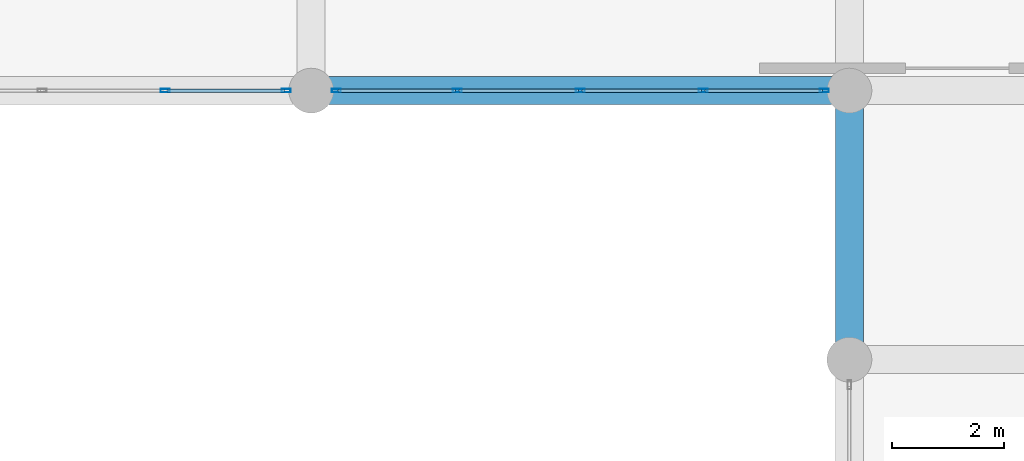
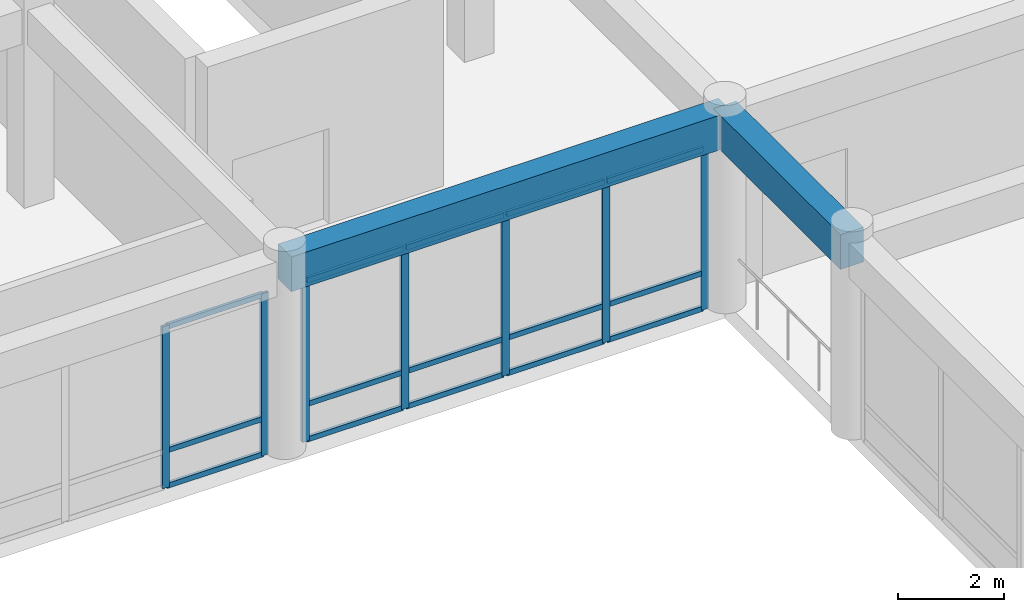
# One storey, part 25 of 101: 22 members, 2 beams, 2 elements without a shape of their own.
"""IFC4 building model written with IfcOpenShell, lengths in metres."""

from ifc_helpers import new_model, si_unit, direction, frame, origin, origin_2d, place, context, subcontext, project, spatial, rectangle, hollow_rectangle, extrude, material, layer, layer_set, material_profile, profile_set, type_object, element, aggregate, save


model = new_model("IFC4")

# Units and contexts
model_context = context("Model", 3, precision=1e-05, world=origin(), true_north=direction((0.0, 1.0)))
body_context = subcontext(model_context, "Body", "Model", "MODEL_VIEW")
ifc_project = project(units=[si_unit("LENGTHUNIT", "METRE"), si_unit("AREAUNIT", "SQUARE_METRE"), si_unit("VOLUMEUNIT", "CUBIC_METRE"), si_unit("PLANEANGLEUNIT", "RADIAN"), si_unit("MASSUNIT", "GRAM", prefix="KILO")], contexts=[model_context])

# Site, building, storey
site_placement = place(None, origin())
site = spatial("IfcSite", under=ifc_project, at=site_placement, CompositionType="ELEMENT")
building_placement = place(site_placement, origin())
building = spatial("IfcBuilding", under=site, at=building_placement, Name="Nakhvara Creek Congress Hotel", CompositionType="ELEMENT")
storey_placement = place(building_placement, frame((0.0, 0.0, 16.199951171875)))
storey = spatial("IfcBuildingStorey", under=building, at=storey_placement, Name="L03", CompositionType="ELEMENT", Elevation=16.199951171875)

# Beams
ifc_material_1 = material(Name="Concrete C40/50", Category="concrete")
ifc_material_profile_1 = material_profile(ifc_material_1, rectangle(XDim=0.5, YDim=0.800048828125, at=origin_2d()), Name="RC-BM 500x800", Category="LoadBearing")
ifc_profile_set_1 = profile_set([ifc_material_profile_1], Name="Concrete C40/50")
beam_type = type_object("IfcBeamType", Name="BM-RC-500X800", PredefinedType="BEAM", material=ifc_profile_set_1)
beam_1_placement = place(storey_placement, frame((115.199951171875, 76.800048828125, 4.14013671875), z_axis=(1.0, 0.0, 0.0), x_axis=(0.0, 1.0, 0.0)))
element("IfcBeam", 1, at=beam_1_placement, inside=storey, type_object=beam_type, Name="Beam B03-L03-1761", PredefinedType="BEAM", context=body_context, shape_type="SweptSolid", body=[
    extrude(rectangle(XDim=0.5, YDim=0.800048828125, at=origin_2d()), origin(), (0.0, 0.0, 1.0), 9.60009765625),
])
beam_2_placement = place(storey_placement, frame((124.800048828125, 72.0, 4.14013671875), z_axis=(0.0, 1.0, 0.0), x_axis=(-1.0, 0.0, 0.0)))
element("IfcBeam", 2, at=beam_2_placement, inside=storey, type_object=beam_type, Name="Beam B03-L03-1778", PredefinedType="BEAM", context=body_context, shape_type="SweptSolid", body=[
    extrude(rectangle(XDim=0.5, YDim=0.800048828125, at=origin_2d()), origin(), (0.0, 0.0, 1.0), 4.800048828125),
])

# Curtain wall, members
ifc_material_2 = material(Name="Bronze-anodised aluminium AW-6063-T6 and double-silver low-E glass", Category="aluminium")
ifc_layer = layer(ifc_material_2, 0.199951171875)
ifc_layer_set = layer_set([ifc_layer], Name="Bronze-anodised aluminium AW-6063-T6 and double-silver low-E glass")
curtain_wall_type = type_object("IfcCurtainWallType", Name="CW-POD-STICK", PredefinedType="NOTDEFINED", material=ifc_layer_set)
curtain_wall_1_placement = place(storey_placement, origin())
curtain_wall_1 = element("IfcCurtainWall", 3, at=curtain_wall_1_placement, inside=storey, type_object=curtain_wall_type, Name="Curtain Wall CW056", PredefinedType="NOTDEFINED")
ifc_material_3 = material(Name="Bronze-anodised aluminium AW-6063-T6", Category="aluminium")
ifc_material_profile_2 = material_profile(ifc_material_3, hollow_rectangle(XDim=0.06494140625, YDim=0.159912109375, WallThickness=0.00390625, at=origin_2d()), Name="ALU-MULL 65x160x4", Category="LoadBearing")
ifc_profile_set_2 = profile_set([ifc_material_profile_2], Name="Bronze-anodised aluminium AW-6063-T6")
member_type_1 = type_object("IfcMemberType", Name="CW-MULL-160", PredefinedType="MULLION", material=ifc_profile_set_2)
member_1_placement = place(storey_placement, frame((114.75244140625, 76.800048828125, 0.0), z_axis=(0.0, 0.0, 1.0), x_axis=(0.0, -1.0, 0.0)))
member_1 = element("IfcMember", 4, at=member_1_placement, type_object=member_type_1, Name="CW056 mullion 1", PredefinedType="MULLION", context=body_context, shape_type="SweptSolid", body=[
    extrude(hollow_rectangle(XDim=0.06494140625, YDim=0.159912109375, WallThickness=0.00390625, at=origin_2d()), origin(), (0.0, 0.0, 1.0), 3.73193359375),
])
member_2_placement = place(storey_placement, frame((112.592529296875, 76.800048828125, 0.0), z_axis=(0.0, 0.0, 1.0), x_axis=(0.0, -1.0, 0.0)))
member_2 = element("IfcMember", 5, at=member_2_placement, type_object=member_type_1, Name="CW056 mullion 2", PredefinedType="MULLION", context=body_context, shape_type="SweptSolid", body=[
    extrude(hollow_rectangle(XDim=0.06494140625, YDim=0.159912109375, WallThickness=0.00390625, at=origin_2d()), origin(), (0.0, 0.0, 1.0), 3.73193359375),
])

curtain_wall_2_placement = place(storey_placement, origin())
curtain_wall_2 = element("IfcCurtainWall", 6, at=curtain_wall_2_placement, inside=storey, type_object=curtain_wall_type, Name="Curtain Wall CW058", PredefinedType="NOTDEFINED")
member_3_placement = place(storey_placement, frame((124.3525390625, 76.800048828125, 0.0), z_axis=(0.0, 0.0, 1.0), x_axis=(0.0, -1.0, 0.0)))
member_3 = element("IfcMember", 7, at=member_3_placement, type_object=member_type_1, Name="CW058 mullion 1", PredefinedType="MULLION", context=body_context, shape_type="SweptSolid", body=[
    extrude(hollow_rectangle(XDim=0.06494140625, YDim=0.159912109375, WallThickness=0.00390625, at=origin_2d()), origin(), (0.0, 0.0, 1.0), 3.73193359375),
])
member_4_placement = place(storey_placement, frame((122.1923828125, 76.800048828125, 0.0), z_axis=(0.0, 0.0, 1.0), x_axis=(0.0, -1.0, 0.0)))
member_4 = element("IfcMember", 8, at=member_4_placement, type_object=member_type_1, Name="CW058 mullion 2", PredefinedType="MULLION", context=body_context, shape_type="SweptSolid", body=[
    extrude(hollow_rectangle(XDim=0.06494140625, YDim=0.159912109375, WallThickness=0.00390625, at=origin_2d()), origin(), (0.0, 0.0, 1.0), 3.73193359375),
])
member_5_placement = place(storey_placement, frame((120.0, 76.800048828125, 0.0), z_axis=(0.0, 0.0, 1.0), x_axis=(0.0, -1.0, 0.0)))
member_5 = element("IfcMember", 9, at=member_5_placement, type_object=member_type_1, Name="CW058 mullion 3", PredefinedType="MULLION", context=body_context, shape_type="SweptSolid", body=[
    extrude(hollow_rectangle(XDim=0.06494140625, YDim=0.159912109375, WallThickness=0.00390625, at=origin_2d()), origin(), (0.0, 0.0, 1.0), 3.73193359375),
])
member_6_placement = place(storey_placement, frame((117.8076171875, 76.800048828125, 0.0), z_axis=(0.0, 0.0, 1.0), x_axis=(0.0, -1.0, 0.0)))
member_6 = element("IfcMember", 10, at=member_6_placement, type_object=member_type_1, Name="CW058 mullion 4", PredefinedType="MULLION", context=body_context, shape_type="SweptSolid", body=[
    extrude(hollow_rectangle(XDim=0.06494140625, YDim=0.159912109375, WallThickness=0.00390625, at=origin_2d()), origin(), (0.0, 0.0, 1.0), 3.73193359375),
])
member_7_placement = place(storey_placement, frame((115.6474609375, 76.800048828125, 0.0), z_axis=(0.0, 0.0, 1.0), x_axis=(0.0, -1.0, 0.0)))
member_7 = element("IfcMember", 11, at=member_7_placement, type_object=member_type_1, Name="CW058 mullion 5", PredefinedType="MULLION", context=body_context, shape_type="SweptSolid", body=[
    extrude(hollow_rectangle(XDim=0.06494140625, YDim=0.159912109375, WallThickness=0.00390625, at=origin_2d()), origin(), (0.0, 0.0, 1.0), 3.73193359375),
])

# Member
ifc_material_profile_3 = material_profile(ifc_material_3, hollow_rectangle(XDim=0.06494140625, YDim=0.1201171875, WallThickness=0.00390625, at=origin_2d()), Name="ALU-TRAN 65x120x4", Category="LoadBearing")
ifc_profile_set_3 = profile_set([ifc_material_profile_3], Name="Bronze-anodised aluminium AW-6063-T6")
member_type_2 = type_object("IfcMemberType", Name="CW-TRAN-120", PredefinedType="USERDEFINED", material=ifc_profile_set_3)
member_8_placement = place(storey_placement, frame((114.719970703125, 76.800048828125, 0.032470703125), z_axis=(-1.0, 0.0, 0.0), x_axis=(0.0, -1.0, 0.0)))
member_8 = element("IfcMember", 12, at=member_8_placement, type_object=member_type_2, Name="CW056 transom 1.1", ObjectType="TRANSOM", PredefinedType="USERDEFINED", context=body_context, shape_type="SweptSolid", body=[
    extrude(hollow_rectangle(XDim=0.06494140625, YDim=0.1201171875, WallThickness=0.00390625, at=origin_2d()), origin(), (0.0, 0.0, 1.0), 2.094970703125),
])

member_9_placement = place(storey_placement, frame((114.719970703125, 76.800048828125, 0.85009765625), z_axis=(-1.0, 0.0, 0.0), x_axis=(0.0, -1.0, 0.0)))
member_9 = element("IfcMember", 13, at=member_9_placement, type_object=member_type_2, Name="CW056 transom 1.2", ObjectType="TRANSOM", PredefinedType="USERDEFINED", context=body_context, shape_type="SweptSolid", body=[
    extrude(hollow_rectangle(XDim=0.06494140625, YDim=0.1201171875, WallThickness=0.00390625, at=origin_2d()), origin(), (0.0, 0.0, 1.0), 2.094970703125),
])

member_10_placement = place(storey_placement, frame((114.719970703125, 76.800048828125, 3.699462890625), z_axis=(-1.0, 0.0, 0.0), x_axis=(0.0, -1.0, 0.0)))
member_10 = element("IfcMember", 14, at=member_10_placement, type_object=member_type_2, Name="CW056 transom 1.3", ObjectType="TRANSOM", PredefinedType="USERDEFINED", context=body_context, shape_type="SweptSolid", body=[
    extrude(hollow_rectangle(XDim=0.06494140625, YDim=0.1201171875, WallThickness=0.00390625, at=origin_2d()), origin(), (0.0, 0.0, 1.0), 2.094970703125),
])

aggregate(curtain_wall_1, [member_1, member_2, member_8, member_9, member_10])

member_11_placement = place(storey_placement, frame((124.320068359375, 76.800048828125, 0.032470703125), z_axis=(-1.0, 0.0, 0.0), x_axis=(0.0, -1.0, 0.0)))
member_11 = element("IfcMember", 15, at=member_11_placement, type_object=member_type_2, Name="CW058 transom 1.1", ObjectType="TRANSOM", PredefinedType="USERDEFINED", context=body_context, shape_type="SweptSolid", body=[
    extrude(hollow_rectangle(XDim=0.06494140625, YDim=0.1201171875, WallThickness=0.00390625, at=origin_2d()), origin(), (0.0, 0.0, 1.0), 2.094970703125),
])

member_12_placement = place(storey_placement, frame((124.320068359375, 76.800048828125, 0.85009765625), z_axis=(-1.0, 0.0, 0.0), x_axis=(0.0, -1.0, 0.0)))
member_12 = element("IfcMember", 16, at=member_12_placement, type_object=member_type_2, Name="CW058 transom 1.2", ObjectType="TRANSOM", PredefinedType="USERDEFINED", context=body_context, shape_type="SweptSolid", body=[
    extrude(hollow_rectangle(XDim=0.06494140625, YDim=0.1201171875, WallThickness=0.00390625, at=origin_2d()), origin(), (0.0, 0.0, 1.0), 2.094970703125),
])

member_13_placement = place(storey_placement, frame((124.320068359375, 76.800048828125, 3.699462890625), z_axis=(-1.0, 0.0, 0.0), x_axis=(0.0, -1.0, 0.0)))
member_13 = element("IfcMember", 17, at=member_13_placement, type_object=member_type_2, Name="CW058 transom 1.3", ObjectType="TRANSOM", PredefinedType="USERDEFINED", context=body_context, shape_type="SweptSolid", body=[
    extrude(hollow_rectangle(XDim=0.06494140625, YDim=0.1201171875, WallThickness=0.00390625, at=origin_2d()), origin(), (0.0, 0.0, 1.0), 2.094970703125),
])

member_14_placement = place(storey_placement, frame((122.159912109375, 76.800048828125, 0.032470703125), z_axis=(-1.0, 0.0, 0.0), x_axis=(0.0, -1.0, 0.0)))
member_14 = element("IfcMember", 18, at=member_14_placement, type_object=member_type_2, Name="CW058 transom 2.1", ObjectType="TRANSOM", PredefinedType="USERDEFINED", context=body_context, shape_type="SweptSolid", body=[
    extrude(hollow_rectangle(XDim=0.06494140625, YDim=0.1201171875, WallThickness=0.00390625, at=origin_2d()), origin(), (0.0, 0.0, 1.0), 2.12744140625),
])

member_15_placement = place(storey_placement, frame((122.159912109375, 76.800048828125, 0.85009765625), z_axis=(-1.0, 0.0, 0.0), x_axis=(0.0, -1.0, 0.0)))
member_15 = element("IfcMember", 19, at=member_15_placement, type_object=member_type_2, Name="CW058 transom 2.2", ObjectType="TRANSOM", PredefinedType="USERDEFINED", context=body_context, shape_type="SweptSolid", body=[
    extrude(hollow_rectangle(XDim=0.06494140625, YDim=0.1201171875, WallThickness=0.00390625, at=origin_2d()), origin(), (0.0, 0.0, 1.0), 2.12744140625),
])

member_16_placement = place(storey_placement, frame((122.159912109375, 76.800048828125, 3.699462890625), z_axis=(-1.0, 0.0, 0.0), x_axis=(0.0, -1.0, 0.0)))
member_16 = element("IfcMember", 20, at=member_16_placement, type_object=member_type_2, Name="CW058 transom 2.3", ObjectType="TRANSOM", PredefinedType="USERDEFINED", context=body_context, shape_type="SweptSolid", body=[
    extrude(hollow_rectangle(XDim=0.06494140625, YDim=0.1201171875, WallThickness=0.00390625, at=origin_2d()), origin(), (0.0, 0.0, 1.0), 2.12744140625),
])

member_17_placement = place(storey_placement, frame((119.967529296875, 76.800048828125, 0.032470703125), z_axis=(-1.0, 0.0, 0.0), x_axis=(0.0, -1.0, 0.0)))
member_17 = element("IfcMember", 21, at=member_17_placement, type_object=member_type_2, Name="CW058 transom 3.1", ObjectType="TRANSOM", PredefinedType="USERDEFINED", context=body_context, shape_type="SweptSolid", body=[
    extrude(hollow_rectangle(XDim=0.06494140625, YDim=0.1201171875, WallThickness=0.00390625, at=origin_2d()), origin(), (0.0, 0.0, 1.0), 2.12744140625),
])

member_18_placement = place(storey_placement, frame((119.967529296875, 76.800048828125, 0.85009765625), z_axis=(-1.0, 0.0, 0.0), x_axis=(0.0, -1.0, 0.0)))
member_18 = element("IfcMember", 22, at=member_18_placement, type_object=member_type_2, Name="CW058 transom 3.2", ObjectType="TRANSOM", PredefinedType="USERDEFINED", context=body_context, shape_type="SweptSolid", body=[
    extrude(hollow_rectangle(XDim=0.06494140625, YDim=0.1201171875, WallThickness=0.00390625, at=origin_2d()), origin(), (0.0, 0.0, 1.0), 2.12744140625),
])

member_19_placement = place(storey_placement, frame((119.967529296875, 76.800048828125, 3.699462890625), z_axis=(-1.0, 0.0, 0.0), x_axis=(0.0, -1.0, 0.0)))
member_19 = element("IfcMember", 23, at=member_19_placement, type_object=member_type_2, Name="CW058 transom 3.3", ObjectType="TRANSOM", PredefinedType="USERDEFINED", context=body_context, shape_type="SweptSolid", body=[
    extrude(hollow_rectangle(XDim=0.06494140625, YDim=0.1201171875, WallThickness=0.00390625, at=origin_2d()), origin(), (0.0, 0.0, 1.0), 2.12744140625),
])

member_20_placement = place(storey_placement, frame((117.77490234375, 76.800048828125, 0.032470703125), z_axis=(-1.0, 0.0, 0.0), x_axis=(0.0, -1.0, 0.0)))
member_20 = element("IfcMember", 24, at=member_20_placement, type_object=member_type_2, Name="CW058 transom 4.1", ObjectType="TRANSOM", PredefinedType="USERDEFINED", context=body_context, shape_type="SweptSolid", body=[
    extrude(hollow_rectangle(XDim=0.06494140625, YDim=0.1201171875, WallThickness=0.00390625, at=origin_2d()), origin(), (0.0, 0.0, 1.0), 2.094970703125),
])

member_21_placement = place(storey_placement, frame((117.77490234375, 76.800048828125, 0.85009765625), z_axis=(-1.0, 0.0, 0.0), x_axis=(0.0, -1.0, 0.0)))
member_21 = element("IfcMember", 25, at=member_21_placement, type_object=member_type_2, Name="CW058 transom 4.2", ObjectType="TRANSOM", PredefinedType="USERDEFINED", context=body_context, shape_type="SweptSolid", body=[
    extrude(hollow_rectangle(XDim=0.06494140625, YDim=0.1201171875, WallThickness=0.00390625, at=origin_2d()), origin(), (0.0, 0.0, 1.0), 2.094970703125),
])

member_22_placement = place(storey_placement, frame((117.77490234375, 76.800048828125, 3.699462890625), z_axis=(-1.0, 0.0, 0.0), x_axis=(0.0, -1.0, 0.0)))
member_22 = element("IfcMember", 26, at=member_22_placement, type_object=member_type_2, Name="CW058 transom 4.3", ObjectType="TRANSOM", PredefinedType="USERDEFINED", context=body_context, shape_type="SweptSolid", body=[
    extrude(hollow_rectangle(XDim=0.06494140625, YDim=0.1201171875, WallThickness=0.00390625, at=origin_2d()), origin(), (0.0, 0.0, 1.0), 2.094970703125),
])

aggregate(curtain_wall_2, [member_3, member_4, member_5, member_6, member_7, member_11, member_12, member_13, member_14, member_15, member_16, member_17, member_18, member_19, member_20, member_21, member_22])

save(model, "model.ifc")
